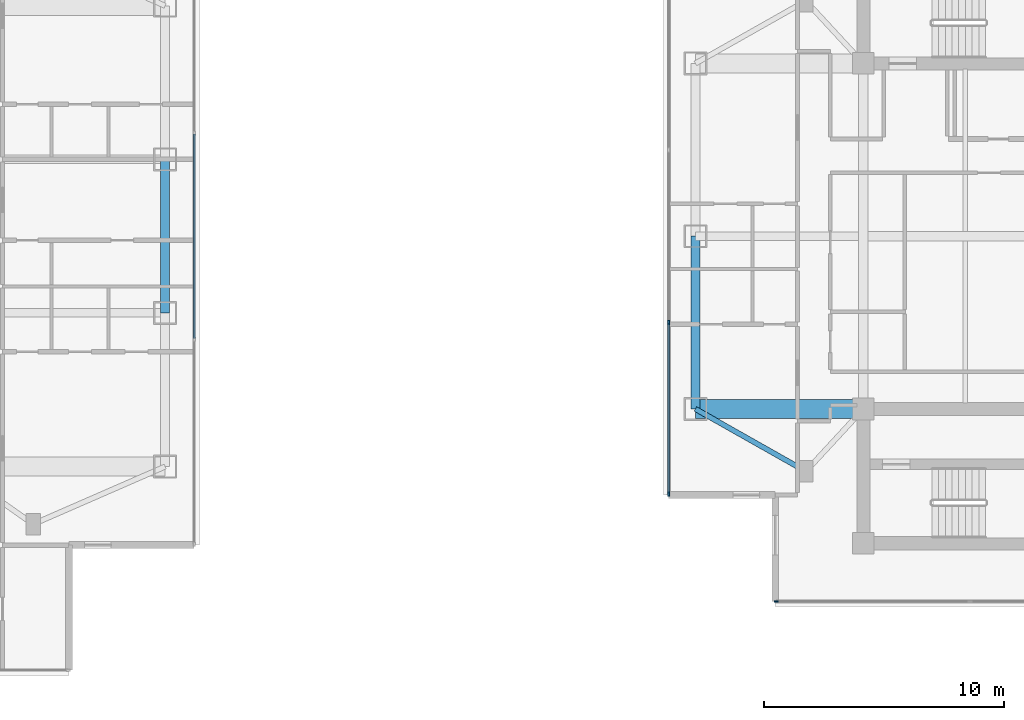
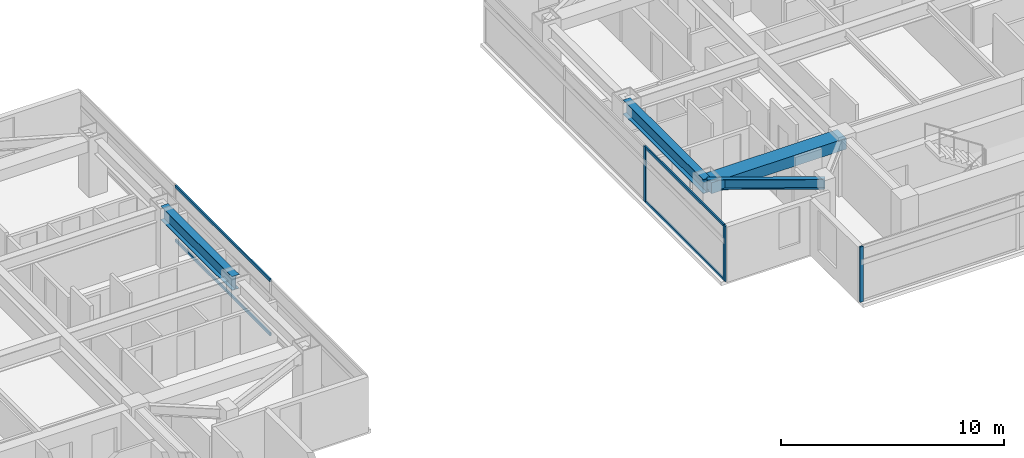
# One storey, part 5 of 24: 7 members, 4 beams, 3 elements without a shape of their own.
"""IFC4 building model written with IfcOpenShell, lengths in metres."""

import ifcopenshell
import ifcopenshell.guid

model = None  # the IFC model being written
_history = None  # IfcOwnerHistory: only IFC2X3 demands one
_inside = {}  # id of a spatial element -> (the spatial element, [elements in it])
_under = {}  # id of a project, library or spatial element -> (it, [spatial elements below it])
_declared = {}  # id of a project -> (the project, [libraries it declares])
_typed = {}  # id of a type object -> (the type object, [elements of that type])
_made_of = {}  # id of a material, layer set ... -> (it, [elements and type objects made of it])


def new_model(schema):
    """Start an empty IFC model of exactly this schema.

    Asked for "IFC4X3", IfcOpenShell would pick the latest addendum, in which some entities
    have other attributes; the version numbers below select the first issue.
    IFC2X3 requires an IfcOwnerHistory on every rooted entity: one is made here for all.
    """
    global model, _history
    if schema == "IFC4X3":
        model = ifcopenshell.file(schema_version=(4, 3, 0, 0))
    else:
        model = ifcopenshell.file(schema=schema)
    _inside.clear()
    _under.clear()
    _declared.clear()
    _typed.clear()
    _made_of.clear()
    _history = None
    if model.schema == "IFC2X3":
        org = make("IfcOrganization", Name="unknown")
        user = make(
            "IfcPersonAndOrganization",
            ThePerson=make("IfcPerson", FamilyName="unknown"),
            TheOrganization=org,
        )
        app = make(
            "IfcApplication",
            ApplicationDeveloper=org,
            Version="unknown",
            ApplicationFullName="unknown",
            ApplicationIdentifier="unknown",
        )
        _history = make(
            "IfcOwnerHistory",
            OwningUser=user,
            OwningApplication=app,
            ChangeAction="ADDED",
            CreationDate=0,
        )
    return model


def make(cls, **values):
    """One entity of the class cls with the attributes given. An attribute that is None is left unset."""
    return model.create_entity(
        cls, **{name: value for name, value in values.items() if value is not None}
    )


def rooted(cls, **values):
    """An entity with a GlobalId (a new one), such as an element, a storey or a relation."""
    return make(cls, GlobalId=ifcopenshell.guid.new(), OwnerHistory=_history, **values)


def si_unit(unit_type, name, prefix=None):
    """IfcSIUnit, for example si_unit("LENGTHUNIT", "METRE", prefix="MILLI")."""
    return make("IfcSIUnit", UnitType=unit_type, Prefix=prefix, Name=name)


def assignment(units):
    """IfcUnitAssignment: the units of a project."""
    return None if units is None else make("IfcUnitAssignment", Units=units)


def point(xyz):
    """IfcCartesianPoint."""
    return None if xyz is None else make("IfcCartesianPoint", Coordinates=xyz)


def direction(xyz):
    """IfcDirection."""
    return None if xyz is None else make("IfcDirection", DirectionRatios=xyz)


def frame(location, z_axis=None, x_axis=None):
    """IfcAxis2Placement3D, a coordinate frame: its origin and axes. An axis left out is left unset."""
    return make(
        "IfcAxis2Placement3D",
        Location=point(location),
        Axis=direction(z_axis),
        RefDirection=direction(x_axis),
    )


def frame_2d(location, x_axis=None):
    """IfcAxis2Placement2D, a coordinate frame in the plane: its origin and x axis."""
    return make(
        "IfcAxis2Placement2D", Location=point(location), RefDirection=direction(x_axis)
    )


def origin():
    """The frame at (0, 0, 0) with its axes left unset."""
    return frame((0.0, 0.0, 0.0))


def origin_2d():
    """The frame at (0, 0) in the plane with its x axis left unset."""
    return frame_2d((0.0, 0.0))


def place(relative_to, where):
    """IfcLocalPlacement: puts the frame where relative to a parent placement (None: the world)."""
    return make(
        "IfcLocalPlacement", PlacementRelTo=relative_to, RelativePlacement=where
    )


def context(
    kind, dimensions, precision=None, world=None, true_north=None, identifier=None
):
    """IfcGeometricRepresentationContext, for example the 3D "Model" context."""
    return make(
        "IfcGeometricRepresentationContext",
        ContextIdentifier=identifier,
        ContextType=kind,
        CoordinateSpaceDimension=dimensions,
        Precision=precision,
        WorldCoordinateSystem=world,
        TrueNorth=true_north,
    )


def subcontext(parent, identifier, kind, view, scale=None):
    """IfcGeometricRepresentationSubContext, for example "Body" below "Model"."""
    return make(
        "IfcGeometricRepresentationSubContext",
        ContextIdentifier=identifier,
        ContextType=kind,
        ParentContext=parent,
        TargetScale=scale,
        TargetView=view,
    )


def project(units=None, contexts=None):
    """IfcProject with its units and contexts."""
    return rooted(
        "IfcProject",
        Name="project",
        RepresentationContexts=contexts,
        UnitsInContext=assignment(units),
    )


def spatial(cls, under=None, at=None, **own):
    """A site, building, storey or space (cls), placed at a placement, below another one or the project."""
    s = rooted(cls, ObjectPlacement=at, **own)
    if under is not None:
        _under.setdefault(under.id(), (under, []))[1].append(s)
    return s


def profile(cls, at=None, kind="AREA", **sizes):
    """A parametric profile (cls). Its sizes go by their IFC names, for example OverallWidth=200.0."""
    return make(cls, ProfileType=kind, Position=at, **sizes)


def rectangle(**sizes):
    """IfcRectangleProfileDef."""
    return profile("IfcRectangleProfileDef", **sizes)


def i_section(**sizes):
    """IfcIShapeProfileDef."""
    return profile("IfcIShapeProfileDef", **sizes)


def extrude(swept, where, along, depth):
    """IfcExtrudedAreaSolid: the profile swept, set in the frame where, extruded along a direction by depth."""
    return make(
        "IfcExtrudedAreaSolid",
        SweptArea=swept,
        Position=where,
        ExtrudedDirection=direction(along),
        Depth=depth,
    )


def shape(context_of_items, identifier, shape_type, items):
    """IfcShapeRepresentation: the items that make up one representation, for example the "Body"."""
    return make(
        "IfcShapeRepresentation",
        ContextOfItems=context_of_items,
        RepresentationIdentifier=identifier,
        RepresentationType=shape_type,
        Items=items,
    )


def material(Name=None, Category=None):
    """IfcMaterial."""
    return make("IfcMaterial", Name=Name, Category=Category)


def material_profile(
    of_material, cross_section, Name=None, Category=None, Priority=None
):
    """IfcMaterialProfile: a cross section and its material."""
    return make(
        "IfcMaterialProfile",
        Name=Name,
        Material=of_material,
        Profile=cross_section,
        Priority=Priority,
        Category=Category,
    )


def profile_set(profiles, Name=None, composite=None):
    """IfcMaterialProfileSet."""
    return make(
        "IfcMaterialProfileSet",
        Name=Name,
        MaterialProfiles=profiles,
        CompositeProfile=composite,
    )


def made_of(thing, what):
    """Note that an element or type object is made of a material, layer set ...; save() writes the relation."""
    if what is not None:
        _made_of.setdefault(what.id(), (what, []))[1].append(thing)
    return thing


def type_object(cls, material=None, **own):
    """A type object (cls), such as IfcWallType, which elements share."""
    return made_of(rooted(cls, **own), material)


def element(
    cls,
    number,
    at=None,
    inside=None,
    cuts=None,
    type_object=None,
    material=None,
    context=None,
    identifier="Body",
    shape_type=None,
    held_by="IfcProductDefinitionShape",
    body=None,
    shapes=None,
    **own,
):
    """One element of the class cls, such as IfcWall. Its Tag is "e" and its number.

    at: its placement. inside: the storey or other place that contains it. cuts: it is an
    opening in that element (IfcRelVoidsElement). A single representation is given by context,
    identifier, shape_type and body (its items); several are given by shapes. held_by: the class
    of the entity that holds the representations. save() writes the other relations.
    """
    e = rooted(cls, Tag="e%d" % number, ObjectPlacement=at, **own)
    if body is not None:
        shapes = [shape(context, identifier, shape_type, body)]
    if shapes is not None:
        e.Representation = make(held_by, Representations=shapes)
    if inside is not None:
        _inside.setdefault(inside.id(), (inside, []))[1].append(e)
    if cuts is not None:
        rooted(
            "IfcRelVoidsElement", RelatingBuildingElement=cuts, RelatedOpeningElement=e
        )
    if type_object is not None:
        _typed.setdefault(type_object.id(), (type_object, []))[1].append(e)
    return made_of(e, material)


def aggregate(whole, parts):
    """IfcRelAggregates: a whole, such as a stair, and the parts it consists of."""
    return rooted("IfcRelAggregates", RelatingObject=whole, RelatedObjects=parts)


def save(model, path):
    """Write the relations noted so far, then the file.

    IfcRelAggregates (storeys below a building ...), IfcRelContainedInSpatialStructure (elements
    in a storey), IfcRelDefinesByType, IfcRelAssociatesMaterial and IfcRelDeclares: one each for
    every whole, place, type object, material and project.
    """
    for whole, parts in _under.values():
        aggregate(whole, parts)
    for where, things in _inside.values():
        rooted(
            "IfcRelContainedInSpatialStructure",
            RelatedElements=things,
            RelatingStructure=where,
        )
    for kind, things in _typed.values():
        rooted("IfcRelDefinesByType", RelatedObjects=things, RelatingType=kind)
    for what, things in _made_of.values():
        rooted("IfcRelAssociatesMaterial", RelatedObjects=things, RelatingMaterial=what)
    for by, libraries in _declared.values():
        rooted("IfcRelDeclares", RelatingContext=by, RelatedDefinitions=libraries)
    model.write(path)


model = new_model("IFC4")

# Units and contexts
model_context = context("Model", 3, precision=1e-05, world=origin(), true_north=direction((0.0, 1.0)))
body_context = subcontext(model_context, "Body", "Model", "MODEL_VIEW")
ifc_project = project(units=[si_unit("LENGTHUNIT", "METRE"), si_unit("AREAUNIT", "SQUARE_METRE"), si_unit("VOLUMEUNIT", "CUBIC_METRE"), si_unit("PLANEANGLEUNIT", "RADIAN"), si_unit("MASSUNIT", "GRAM", prefix="KILO")], contexts=[model_context])

# Site, building, storey
site_placement = place(None, origin())
site = spatial("IfcSite", under=ifc_project, at=site_placement, CompositionType="ELEMENT")
building_placement = place(site_placement, origin())
building = spatial("IfcBuilding", under=site, at=building_placement, Name="Mirazonda Arch Towers", CompositionType="ELEMENT")
storey_placement = place(building_placement, frame((0.0, 0.0, 186.89990234375)))
storey = spatial("IfcBuildingStorey", under=building, at=storey_placement, Name="L53", CompositionType="ELEMENT", Elevation=186.89990234375)

# Beams
ifc_material_1 = material(Name="Steel ASTM A992 Grade 50", Category="steel")
ifc_material_profile_1 = material_profile(ifc_material_1, i_section(OverallWidth=0.381103515625, OverallDepth=0.77294921875, WebThickness=0.0166015625, FlangeThickness=0.027099609375, at=origin_2d()), Name="W30X173")
ifc_profile_set_1 = profile_set([ifc_material_profile_1], Name="Steel ASTM A992 Grade 50")
beam_type_1 = type_object("IfcBeamType", Name="BM-EXT-W30X173", PredefinedType="USERDEFINED", material=ifc_profile_set_1)
beam_1_placement = place(storey_placement, frame((38.89990234375, 24.800048828125, 2.66357421875), z_axis=(0.0, 1.0, 0.0), x_axis=(-1.0, 0.0, 0.0)))
element("IfcBeam", 1, at=beam_1_placement, inside=storey, type_object=beam_type_1, Name="L53 Floor Beam BM-T1-L53-NS-E-24", ObjectType="GIRDER", PredefinedType="USERDEFINED", context=body_context, shape_type="SweptSolid", body=[
    extrude(i_section(OverallWidth=0.381103515625, OverallDepth=0.77294921875, WebThickness=0.0166015625, FlangeThickness=0.027099609375, at=origin_2d()), origin(), (0.0, 0.0, 1.0), 6.39990234375),
])
beam_2_placement = place(storey_placement, frame((61.0, 20.800048828125, 2.66357421875), z_axis=(0.0, 1.0, 0.0), x_axis=(-1.0, 0.0, 0.0)))
element("IfcBeam", 2, at=beam_2_placement, inside=storey, type_object=beam_type_1, Name="L53 Floor Beam BM-T2-L53-NS-W-20", ObjectType="GIRDER", PredefinedType="USERDEFINED", context=body_context, shape_type="SweptSolid", body=[
    extrude(i_section(OverallWidth=0.381103515625, OverallDepth=0.77294921875, WebThickness=0.0166015625, FlangeThickness=0.027099609375, at=origin_2d()), origin(), (0.0, 0.0, 1.0), 7.199951171875),
])
ifc_material_profile_2 = material_profile(ifc_material_1, i_section(OverallWidth=0.214111328125, OverallDepth=0.549072265625, WebThickness=0.0146484375, FlangeThickness=0.023681640625, at=origin_2d()), Name="W21X93")
ifc_profile_set_2 = profile_set([ifc_material_profile_2], Name="Steel ASTM A992 Grade 50")
beam_type_2 = type_object("IfcBeamType", Name="BM-INT-W21X93", PredefinedType="BEAM", material=ifc_profile_set_2)
beam_3_placement = place(storey_placement, frame((65.60009765625, 18.199951171875, 2.775634765625), z_axis=(-0.870559396632, 0.492063346467, 0.0), x_axis=(-0.492063346467, -0.870559396632, 0.0)))
element("IfcBeam", 3, at=beam_3_placement, inside=storey, type_object=beam_type_2, Name="L53 Floor Beam BM-T2-L53-PL-SW2", PredefinedType="BEAM", context=body_context, shape_type="SweptSolid", body=[
    extrude(i_section(OverallWidth=0.214111328125, OverallDepth=0.549072265625, WebThickness=0.0146484375, FlangeThickness=0.023681640625, at=origin_2d()), origin(), (0.0, 0.0, 1.0), 5.2841796875),
])
ifc_material_2 = material(Name="Concrete C60/75", Category="concrete")
ifc_material_profile_3 = material_profile(ifc_material_2, rectangle(XDim=0.800048828125, YDim=0.60009765625, at=origin_2d()), Name="RCCB800x600")
ifc_profile_set_3 = profile_set([ifc_material_profile_3], Name="Concrete C60/75")
beam_type_3 = type_object("IfcBeamType", Name="CB-INT-RCCB800x600", PredefinedType="SPANDREL", material=ifc_profile_set_3)
beam_4_placement = place(storey_placement, frame((61.0, 20.800048828125, 2.75), z_axis=(1.0, 0.0, 0.0), x_axis=(0.0, 1.0, 0.0)))
element("IfcBeam", 4, at=beam_4_placement, inside=storey, type_object=beam_type_3, Name="L53 Floor Beam CBC-T2-L53-SW", PredefinedType="SPANDREL", context=body_context, shape_type="SweptSolid", body=[
    extrude(rectangle(XDim=0.800048828125, YDim=0.60009765625, at=origin_2d()), origin(), (0.0, 0.0, 1.0), 7.0),
])

# Curtain wall, member
ifc_material_3 = material(Name="Anodised Aluminium and Low-E Glass", Category="aluminium")
curtain_wall_type = type_object("IfcCurtainWallType", Name="CW-RES-UNIT", PredefinedType="NOTDEFINED", material=ifc_material_3)
curtain_wall_1_placement = place(storey_placement, origin())
curtain_wall_1 = element("IfcCurtainWall", 5, at=curtain_wall_1_placement, inside=storey, type_object=curtain_wall_type, Name="L53 T2 S Facade CW-L53-T2-S", PredefinedType="NOTDEFINED")
ifc_material_4 = material(Name="Anodised Aluminium Alloy", Category="aluminium")
ifc_material_profile_4 = material_profile(ifc_material_4, rectangle(XDim=0.074951171875, YDim=0.175048828125, at=origin_2d()), Name="ALU-MULL-75x175")
ifc_profile_set_4 = profile_set([ifc_material_profile_4], Name="Anodised Aluminium Alloy")
member_type_1 = type_object("IfcMemberType", Name="MULL-CW-RES-UNIT", PredefinedType="MULLION", material=ifc_profile_set_4)
member_1_placement = place(storey_placement, frame((64.36181640625, 12.7783203125, 0.0), z_axis=(0.0, 0.0, 1.0), x_axis=(0.0, -1.0, 0.0)))
member_1 = element("IfcMember", 6, at=member_1_placement, type_object=member_type_1, Name="CW-104 mullion 4", PredefinedType="MULLION", context=body_context, shape_type="SweptSolid", body=[
    extrude(rectangle(XDim=0.074951171875, YDim=0.175048828125, at=origin_2d()), origin(), (0.0, 0.0, 1.0), 3.030029296875),
])
aggregate(curtain_wall_1, [member_1])

# Curtain wall, members
curtain_wall_2_placement = place(storey_placement, origin())
curtain_wall_2 = element("IfcCurtainWall", 7, at=curtain_wall_2_placement, inside=storey, type_object=curtain_wall_type, Name="L53 T2 W Facade CW-L53-T2-W", PredefinedType="NOTDEFINED")
member_2_placement = place(storey_placement, frame((59.884521484375, 24.406005859375, 0.0), z_axis=(0.0, 0.0, 1.0), x_axis=(1.0, 0.0, 0.0)))
member_2 = element("IfcMember", 8, at=member_2_placement, type_object=member_type_1, Name="CW-104 mullion 3", PredefinedType="MULLION", context=body_context, shape_type="SweptSolid", body=[
    extrude(rectangle(XDim=0.074951171875, YDim=0.175048828125, at=origin_2d()), origin(), (0.0, 0.0, 1.0), 3.030029296875),
])
member_3_placement = place(storey_placement, frame((59.884521484375, 17.25537109375, 0.0), z_axis=(0.0, 0.0, 1.0), x_axis=(1.0, 0.0, 0.0)))
member_3 = element("IfcMember", 9, at=member_3_placement, type_object=member_type_1, Name="CW-104 mullion 4", PredefinedType="MULLION", context=body_context, shape_type="SweptSolid", body=[
    extrude(rectangle(XDim=0.074951171875, YDim=0.175048828125, at=origin_2d()), origin(), (0.0, 0.0, 1.0), 3.030029296875),
])

curtain_wall_3_placement = place(storey_placement, origin())
curtain_wall_3 = element("IfcCurtainWall", 10, at=curtain_wall_3_placement, inside=storey, type_object=curtain_wall_type, Name="L53 T1 E Facade CW-L53-T1-E", PredefinedType="NOTDEFINED")
ifc_material_profile_5 = material_profile(ifc_material_4, rectangle(XDim=0.074951171875, YDim=0.155029296875, at=origin_2d()), Name="ALU-TRAN-75x155")
ifc_profile_set_5 = profile_set([ifc_material_profile_5], Name="Anodised Aluminium Alloy")
member_type_2 = type_object("IfcMemberType", Name="TRAN-CW-RES-UNIT", PredefinedType="USERDEFINED", material=ifc_profile_set_5)
member_4_placement = place(storey_placement, frame((40.110107421875, 23.74658203125, 0.03759765625), z_axis=(0.0, 1.0, 0.0), x_axis=(-1.0, 0.0, 0.0)))
member_4 = element("IfcMember", 11, at=member_4_placement, type_object=member_type_2, Name="CW-104 transom 2.1", ObjectType="TRANSOM", PredefinedType="USERDEFINED", context=body_context, shape_type="SweptSolid", body=[
    extrude(rectangle(XDim=0.074951171875, YDim=0.155029296875, at=origin_2d()), origin(), (0.0, 0.0, 1.0), 8.5068359375),
])
member_5_placement = place(storey_placement, frame((40.110107421875, 23.74658203125, 2.99267578125), z_axis=(0.0, 1.0, 0.0), x_axis=(-1.0, 0.0, 0.0)))
member_5 = element("IfcMember", 12, at=member_5_placement, type_object=member_type_2, Name="CW-104 transom 2.2", ObjectType="TRANSOM", PredefinedType="USERDEFINED", context=body_context, shape_type="SweptSolid", body=[
    extrude(rectangle(XDim=0.074951171875, YDim=0.155029296875, at=origin_2d()), origin(), (0.0, 0.0, 1.0), 8.5068359375),
])
aggregate(curtain_wall_3, [member_4, member_5])

# Member
member_6_placement = place(storey_placement, frame((59.884521484375, 24.368408203125, 0.03759765625), z_axis=(0.0, -1.0, 0.0), x_axis=(1.0, 0.0, 0.0)))
member_6 = element("IfcMember", 13, at=member_6_placement, type_object=member_type_2, Name="CW-104 transom 3.1", ObjectType="TRANSOM", PredefinedType="USERDEFINED", context=body_context, shape_type="SweptSolid", body=[
    extrude(rectangle(XDim=0.074951171875, YDim=0.155029296875, at=origin_2d()), origin(), (0.0, 0.0, 1.0), 7.075439453125),
])

member_7_placement = place(storey_placement, frame((59.884521484375, 24.368408203125, 2.99267578125), z_axis=(0.0, -1.0, 0.0), x_axis=(1.0, 0.0, 0.0)))
member_7 = element("IfcMember", 14, at=member_7_placement, type_object=member_type_2, Name="CW-104 transom 3.2", ObjectType="TRANSOM", PredefinedType="USERDEFINED", context=body_context, shape_type="SweptSolid", body=[
    extrude(rectangle(XDim=0.074951171875, YDim=0.155029296875, at=origin_2d()), origin(), (0.0, 0.0, 1.0), 7.075439453125),
])

aggregate(curtain_wall_2, [member_2, member_3, member_6, member_7])

save(model, "model.ifc")
